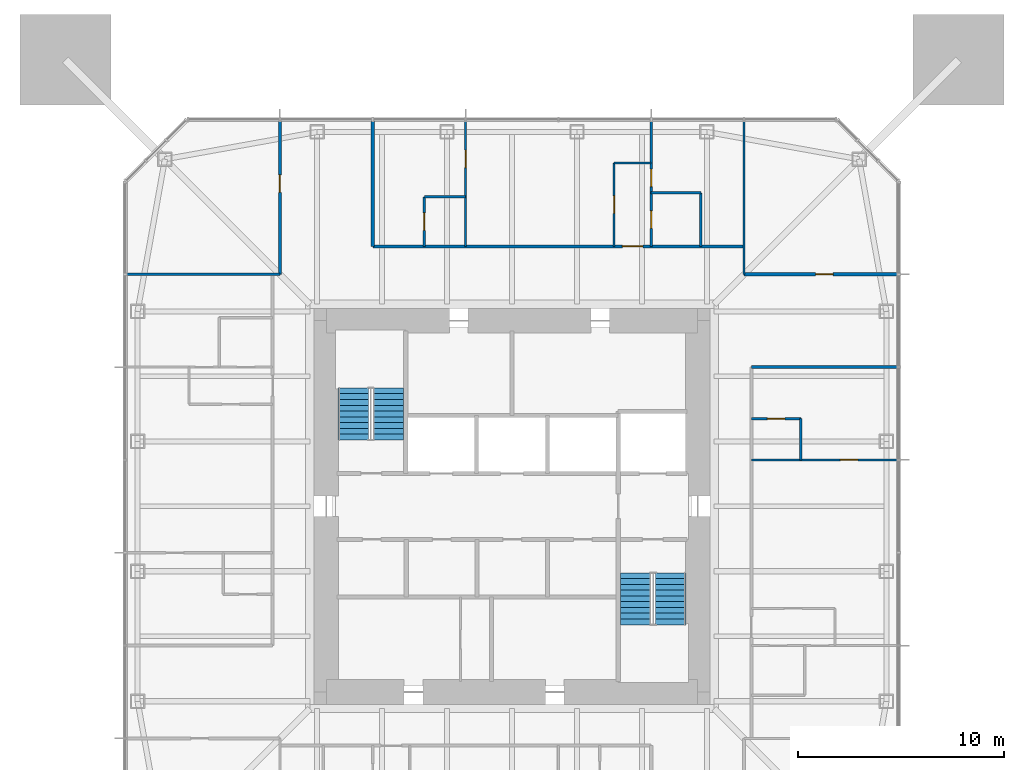
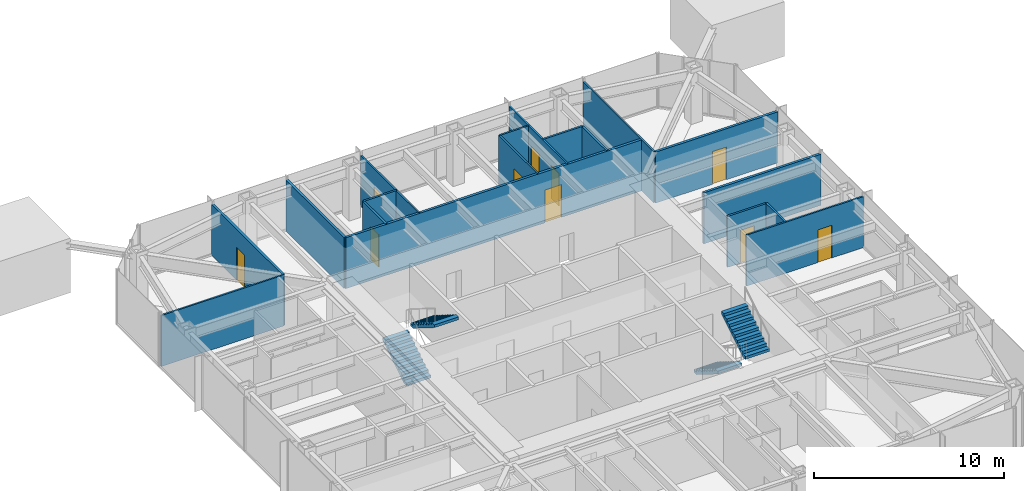
# One storey, part 8 of 11: 18 walls, 10 doors, 4 stair flights, 10 openings, 2 elements without a shape of their own.
"""IFC4 building model written with IfcOpenShell, lengths in metres."""

from ifc_helpers import new_model, si_unit, direction, frame, frame_2d, origin, place, context, subcontext, project, spatial, polyline, rectangle, outline, extrude, material, layer, layer_set, constituent, constituent_set, type_object, element, fill, aggregate, save


model = new_model("IFC4")

# Units and contexts
model_context = context("Model", 3, precision=1e-05, world=origin(), true_north=direction((0.0, 1.0)))
body_context = subcontext(model_context, "Body", "Model", "MODEL_VIEW")
ifc_project = project(units=[si_unit("LENGTHUNIT", "METRE"), si_unit("AREAUNIT", "SQUARE_METRE"), si_unit("VOLUMEUNIT", "CUBIC_METRE"), si_unit("PLANEANGLEUNIT", "RADIAN"), si_unit("MASSUNIT", "GRAM", prefix="KILO")], contexts=[model_context])

# Site, building, storey
site_placement = place(None, origin())
site = spatial("IfcSite", under=ifc_project, at=site_placement, CompositionType="ELEMENT")
building_placement = place(site_placement, origin())
building = spatial("IfcBuilding", under=site, at=building_placement, Name="Iwan Alto Co-Living Towers", CompositionType="ELEMENT")
storey_placement = place(building_placement, frame((0.0, 0.0, 177.5)))
storey = spatial("IfcBuildingStorey", under=building, at=storey_placement, Name="L48", CompositionType="ELEMENT", Elevation=177.5)

# Wall
ifc_material_1 = material(Name="Gypsum board")
ifc_layer_1 = layer(ifc_material_1, 0.02490234375, Name="Board", Category="Finish")
ifc_material_2 = material(Name="Steel ASTM A1003 ST33H cold-formed studs", Category="steel")
ifc_layer_2 = layer(ifc_material_2, 0.10009765625, Name="Studs", Category="Framing")
ifc_layer_3 = layer(ifc_material_1, 0.02490234375, Name="Board", Category="Finish")
ifc_layer_set_1 = layer_set([ifc_layer_1, ifc_layer_2, ifc_layer_3], Name="CORRIDOR WALL 150")
wall_type_1 = type_object("IfcWallType", Name="CORRIDOR WALL 150", PredefinedType="PARTITIONING", material=ifc_layer_set_1)
wall_1_placement = place(storey_placement, frame((11.60009765625, 6.75, 0.0), z_axis=(0.0, 0.0, 1.0), x_axis=(1.0, 0.0, 0.0)))
element("IfcWall", 1, at=wall_1_placement, inside=storey, type_object=wall_type_1, Name="Partition L48", PredefinedType="PARTITIONING", context=body_context, shape_type="SweptSolid", body=[
    extrude(rectangle(XDim=7.08984375, YDim=0.14990234375, at=frame_2d((3.544921875, 0.0))), origin(), (0.0, 0.0, 1.0), 3.27001953125),
])

# Wall, opening, door
wall_2_placement = place(storey_placement, frame((11.25, 11.25, 0.0), z_axis=(0.0, 0.0, 1.0), x_axis=(1.0, 0.0, 0.0)))
wall_2 = element("IfcWall", 2, at=wall_2_placement, inside=storey, type_object=wall_type_1, Name="Partition L48", PredefinedType="PARTITIONING", context=body_context, shape_type="SweptSolid", body=[
    extrude(rectangle(XDim=7.43994140625, YDim=0.14990234375, at=frame_2d((3.719970703125, 0.0))), origin(), (0.0, 0.0, 1.0), 3.27001953125),
])
opening_1_placement = place(wall_2_placement, frame((3.469970703125, 0.0, 0.0)))
opening_1 = element("IfcOpeningElement", 3, at=opening_1_placement, cuts=wall_2, Name="Opening D2", PredefinedType="OPENING", context=body_context, shape_type="SweptSolid", body=[
    extrude(rectangle(XDim=0.85009765625, YDim=2.10009765625, at=frame_2d((0.425048828125, 1.050048828125))), frame((0.0, 0.0849609375, 0.0), z_axis=(0.0, -1.0, 0.0), x_axis=(1.0, 0.0, 0.0)), (0.0, 0.0, 1.0), 0.169921875),
])
ifc_material_3 = material(Name="Timber leaf in steel frame", Category="steel")
door_type_1 = type_object("IfcDoorType", Name="ROOM DOOR 850X2100", OperationType="SINGLE_SWING_LEFT", PredefinedType="DOOR", material=ifc_material_3)
door_1_placement = place(opening_1_placement, origin())
door_1 = element("IfcDoor", 4, at=door_1_placement, inside=storey, type_object=door_type_1, Name="Shared kitchen and lounge door L48", OperationType="SINGLE_SWING_RIGHT", OverallHeight=2.10009765625, OverallWidth=0.85009765625, PredefinedType="DOOR", context=body_context, shape_type="SweptSolid", body=[
    extrude(rectangle(XDim=0.85009765625, YDim=2.10009765625, at=frame_2d((0.425048828125, 1.050048828125))), frame((0.0, 0.02490234375, 0.0), z_axis=(0.0, -1.0, 0.0), x_axis=(1.0, 0.0, 0.0)), (0.0, 0.0, 1.0), 0.050048828125),
])
fill(opening_1, door_1)

wall_3_placement = place(storey_placement, frame((-6.75, 12.60009765625, 0.0), z_axis=(0.0, 0.0, 1.0), x_axis=(1.0, 0.0, 0.0)))
wall_3 = element("IfcWall", 5, at=wall_3_placement, inside=storey, type_object=wall_type_1, Name="Partition L48", PredefinedType="PARTITIONING", context=body_context, shape_type="SweptSolid", body=[
    extrude(rectangle(XDim=18.0, YDim=0.14990234375, at=frame_2d((9.0, 0.0))), origin(), (0.0, 0.0, 1.0), 3.27001953125),
])
opening_2_placement = place(wall_3_placement, frame((12.10009765625, 0.0, 0.0)))
opening_2 = element("IfcOpeningElement", 6, at=opening_2_placement, cuts=wall_3, Name="Opening D3", PredefinedType="OPENING", context=body_context, shape_type="SweptSolid", body=[
    extrude(rectangle(XDim=1.0, YDim=2.10009765625, at=frame_2d((0.5, 1.050048828125))), frame((0.0, 0.0849609375, 0.0), z_axis=(0.0, -1.0, 0.0), x_axis=(1.0, 0.0, 0.0)), (0.0, 0.0, 1.0), 0.169921875),
])
ifc_material_4 = material(Name="Steel frame with timber leaf", Category="steel")
door_type_2 = type_object("IfcDoorType", Name="FLAT ENTRANCE DOOR FD30S 1000X2100", OperationType="SINGLE_SWING_LEFT", PredefinedType="DOOR", material=ifc_material_4)
door_2_placement = place(opening_2_placement, origin())
door_2 = element("IfcDoor", 7, at=door_2_placement, inside=storey, type_object=door_type_2, Name="Apartment foyer door L48", OperationType="SINGLE_SWING_LEFT", OverallHeight=2.10009765625, OverallWidth=1.0, PredefinedType="DOOR", context=body_context, shape_type="SweptSolid", body=[
    extrude(rectangle(XDim=1.0, YDim=2.10009765625, at=frame_2d((0.5, 1.050048828125))), frame((0.0, 0.02490234375, 0.0), z_axis=(0.0, -1.0, 0.0), x_axis=(1.0, 0.0, 0.0)), (0.0, 0.0, 1.0), 0.050048828125),
])
fill(opening_2, door_2)

# Wall
wall_4_placement = place(storey_placement, frame((-6.75, 12.60009765625, 0.0), z_axis=(0.0, 0.0, 1.0), x_axis=(0.0, 1.0, 0.0)))
element("IfcWall", 8, at=wall_4_placement, inside=storey, type_object=wall_type_1, Name="Partition L48", PredefinedType="PARTITIONING", context=body_context, shape_type="SweptSolid", body=[
    extrude(rectangle(XDim=6.08984375, YDim=0.14990234375, at=frame_2d((3.044921875, 0.0))), origin(), (0.0, 0.0, 1.0), 3.27001953125),
])

# Wall, opening, door
wall_5_placement = place(storey_placement, frame((-11.25, 11.25, 0.0), z_axis=(0.0, 0.0, 1.0), x_axis=(0.0, 1.0, 0.0)))
wall_5 = element("IfcWall", 9, at=wall_5_placement, inside=storey, type_object=wall_type_1, Name="Partition L48", PredefinedType="PARTITIONING", context=body_context, shape_type="SweptSolid", body=[
    extrude(rectangle(XDim=7.43994140625, YDim=0.14990234375, at=frame_2d((3.719970703125, 0.0))), origin(), (0.0, 0.0, 1.0), 3.27001953125),
])
opening_3_placement = place(wall_5_placement, frame((3.969970703125, 0.0, 0.0)))
opening_3 = element("IfcOpeningElement", 10, at=opening_3_placement, cuts=wall_5, Name="Opening D2", PredefinedType="OPENING", context=body_context, shape_type="SweptSolid", body=[
    extrude(rectangle(XDim=0.85009765625, YDim=2.10009765625, at=frame_2d((0.425048828125, 1.050048828125))), frame((0.0, 0.0849609375, 0.0), z_axis=(0.0, -1.0, 0.0), x_axis=(1.0, 0.0, 0.0)), (0.0, 0.0, 1.0), 0.169921875),
])
door_3_placement = place(opening_3_placement, origin())
door_3 = element("IfcDoor", 11, at=door_3_placement, inside=storey, type_object=door_type_1, Name="Shared kitchen and lounge door L48", OperationType="SINGLE_SWING_RIGHT", OverallHeight=2.10009765625, OverallWidth=0.85009765625, PredefinedType="DOOR", context=body_context, shape_type="SweptSolid", body=[
    extrude(rectangle(XDim=0.85009765625, YDim=2.10009765625, at=frame_2d((0.425048828125, 1.050048828125))), frame((0.0, 0.02490234375, 0.0), z_axis=(0.0, -1.0, 0.0), x_axis=(1.0, 0.0, 0.0)), (0.0, 0.0, 1.0), 0.050048828125),
])
fill(opening_3, door_3)

ifc_layer_4 = layer(ifc_material_1, 0.012451171875, Name="Board", Category="Finish")
ifc_layer_5 = layer(ifc_material_2, 0.074951171875, Name="Studs", Category="Framing")
ifc_layer_6 = layer(ifc_material_1, 0.012451171875, Name="Board", Category="Finish")
ifc_layer_set_2 = layer_set([ifc_layer_4, ifc_layer_5, ifc_layer_6], Name="PARTITION 100")
wall_type_2 = type_object("IfcWallType", Name="PARTITION 100", PredefinedType="PARTITIONING", material=ifc_layer_set_2)
wall_6_placement = place(storey_placement, frame((11.60009765625, 2.25, 0.0), z_axis=(0.0, 0.0, 1.0), x_axis=(1.0, 0.0, 0.0)))
wall_6 = element("IfcWall", 12, at=wall_6_placement, inside=storey, type_object=wall_type_2, Name="Partition L48", PredefinedType="PARTITIONING", context=body_context, shape_type="SweptSolid", body=[
    extrude(rectangle(XDim=7.08984375, YDim=0.10009765625, at=frame_2d((3.544921875, 0.0))), origin(), (0.0, 0.0, 1.0), 3.27001953125),
])
opening_4_placement = place(wall_6_placement, frame((4.320068359375, 0.0, 0.0)))
opening_4 = element("IfcOpeningElement", 13, at=opening_4_placement, cuts=wall_6, Name="Opening D2", PredefinedType="OPENING", context=body_context, shape_type="SweptSolid", body=[
    extrude(rectangle(XDim=0.85009765625, YDim=2.10009765625, at=frame_2d((0.425048828125, 1.050048828125))), frame((0.0, 0.06005859375, 0.0), z_axis=(0.0, -1.0, 0.0), x_axis=(1.0, 0.0, 0.0)), (0.0, 0.0, 1.0), 0.1201171875),
])
door_4_placement = place(opening_4_placement, frame((0.85009765625, 0.0, 0.0), z_axis=(0.0, 0.0, 1.0), x_axis=(-1.0, 0.0, 0.0)))
door_4 = element("IfcDoor", 14, at=door_4_placement, inside=storey, type_object=door_type_1, Name="Bedroom door L48", OperationType="SINGLE_SWING_LEFT", OverallHeight=2.10009765625, OverallWidth=0.85009765625, PredefinedType="DOOR", context=body_context, shape_type="SweptSolid", body=[
    extrude(rectangle(XDim=0.85009765625, YDim=2.10009765625, at=frame_2d((0.425048828125, 1.050048828125))), frame((0.0, 0.02490234375, 0.0), z_axis=(0.0, -1.0, 0.0), x_axis=(1.0, 0.0, 0.0)), (0.0, 0.0, 1.0), 0.050048828125),
])
fill(opening_4, door_4)

# Walls
wall_7_placement = place(storey_placement, frame((-18.68994140625, 11.25, 0.0), z_axis=(0.0, 0.0, 1.0), x_axis=(1.0, 0.0, 0.0)))
element("IfcWall", 15, at=wall_7_placement, inside=storey, type_object=wall_type_2, Name="Partition L48", PredefinedType="PARTITIONING", context=body_context, shape_type="SweptSolid", body=[
    extrude(rectangle(XDim=7.43994140625, YDim=0.10009765625, at=frame_2d((3.719970703125, 0.0))), origin(), (0.0, 0.0, 1.0), 3.27001953125),
])
wall_8_placement = place(storey_placement, frame((4.949951171875, 16.64990234375, 0.0), z_axis=(0.0, 0.0, 1.0), x_axis=(1.0, 0.0, 0.0)))
element("IfcWall", 16, at=wall_8_placement, inside=storey, type_object=wall_type_2, Name="Partition L48", PredefinedType="PARTITIONING", context=body_context, shape_type="SweptSolid", body=[
    extrude(rectangle(XDim=1.800048828125, YDim=0.10009765625, at=frame_2d((0.89990234375, 0.0))), origin(), (0.0, 0.0, 1.0), 3.27001953125),
])
wall_9_placement = place(storey_placement, frame((11.25, 11.25, 0.0), z_axis=(0.0, 0.0, 1.0), x_axis=(0.0, 1.0, 0.0)))
element("IfcWall", 17, at=wall_9_placement, inside=storey, type_object=wall_type_2, Name="Partition L48", PredefinedType="PARTITIONING", context=body_context, shape_type="SweptSolid", body=[
    extrude(rectangle(XDim=7.43994140625, YDim=0.10009765625, at=frame_2d((3.719970703125, 0.0))), origin(), (0.0, 0.0, 1.0), 3.27001953125),
])

# Wall, openings, doors
wall_10_placement = place(storey_placement, frame((6.75, 12.60009765625, 0.0), z_axis=(0.0, 0.0, 1.0), x_axis=(0.0, 1.0, 0.0)))
wall_10 = element("IfcWall", 18, at=wall_10_placement, inside=storey, type_object=wall_type_2, Name="Partition L48", PredefinedType="PARTITIONING", context=body_context, shape_type="SweptSolid", body=[
    extrude(rectangle(XDim=6.08984375, YDim=0.10009765625, at=frame_2d((3.044921875, 0.0))), origin(), (0.0, 0.0, 1.0), 3.27001953125),
])
opening_5_placement = place(wall_10_placement, frame((2.89990234375, 0.0, 0.0)))
opening_5 = element("IfcOpeningElement", 19, at=opening_5_placement, cuts=wall_10, Name="Opening D2", PredefinedType="OPENING", context=body_context, shape_type="SweptSolid", body=[
    extrude(rectangle(XDim=0.85009765625, YDim=2.10009765625, at=frame_2d((0.425048828125, 1.050048828125))), frame((0.0, 0.06005859375, 0.0), z_axis=(0.0, -1.0, 0.0), x_axis=(1.0, 0.0, 0.0)), (0.0, 0.0, 1.0), 0.1201171875),
])
opening_6_placement = place(wall_10_placement, frame((0.875, 0.0, 0.0)))
opening_6 = element("IfcOpeningElement", 20, at=opening_6_placement, cuts=wall_10, Name="Opening D2", PredefinedType="OPENING", context=body_context, shape_type="SweptSolid", body=[
    extrude(rectangle(XDim=0.85009765625, YDim=2.10009765625, at=frame_2d((0.425048828125, 1.050048828125))), frame((0.0, 0.06005859375, 0.0), z_axis=(0.0, -1.0, 0.0), x_axis=(1.0, 0.0, 0.0)), (0.0, 0.0, 1.0), 0.1201171875),
])
door_5_placement = place(opening_5_placement, frame((0.85009765625, 0.0, 0.0), z_axis=(0.0, 0.0, 1.0), x_axis=(-1.0, 0.0, 0.0)))
door_5 = element("IfcDoor", 21, at=door_5_placement, inside=storey, type_object=door_type_1, Name="Bedroom door L48", OperationType="SINGLE_SWING_RIGHT", OverallHeight=2.10009765625, OverallWidth=0.85009765625, PredefinedType="DOOR", context=body_context, shape_type="SweptSolid", body=[
    extrude(rectangle(XDim=0.85009765625, YDim=2.10009765625, at=frame_2d((0.425048828125, 1.050048828125))), frame((0.0, 0.02490234375, 0.0), z_axis=(0.0, -1.0, 0.0), x_axis=(1.0, 0.0, 0.0)), (0.0, 0.0, 1.0), 0.050048828125),
])
fill(opening_5, door_5)
door_6_placement = place(opening_6_placement, frame((0.85009765625, 0.0, 0.0), z_axis=(0.0, 0.0, 1.0), x_axis=(-1.0, 0.0, 0.0)))
door_6 = element("IfcDoor", 22, at=door_6_placement, inside=storey, type_object=door_type_1, Name="Bathroom door L48", OperationType="SINGLE_SWING_RIGHT", OverallHeight=2.10009765625, OverallWidth=0.85009765625, PredefinedType="DOOR", context=body_context, shape_type="SweptSolid", body=[
    extrude(rectangle(XDim=0.85009765625, YDim=2.10009765625, at=frame_2d((0.425048828125, 1.050048828125))), frame((0.0, 0.02490234375, 0.0), z_axis=(0.0, -1.0, 0.0), x_axis=(1.0, 0.0, 0.0)), (0.0, 0.0, 1.0), 0.050048828125),
])
fill(opening_6, door_6)

# Wall, opening, door
wall_11_placement = place(storey_placement, frame((4.949951171875, 12.60009765625, 0.0), z_axis=(0.0, 0.0, 1.0), x_axis=(0.0, 1.0, 0.0)))
wall_11 = element("IfcWall", 23, at=wall_11_placement, inside=storey, type_object=wall_type_2, Name="Partition L48", PredefinedType="PARTITIONING", context=body_context, shape_type="SweptSolid", body=[
    extrude(rectangle(XDim=4.0498046875, YDim=0.10009765625, at=frame_2d((2.02490234375, 0.0))), origin(), (0.0, 0.0, 1.0), 3.27001953125),
])
opening_7_placement = place(wall_11_placement, frame((1.60009765625, 0.0, 0.0)))
opening_7 = element("IfcOpeningElement", 24, at=opening_7_placement, cuts=wall_11, Name="Opening D2", PredefinedType="OPENING", context=body_context, shape_type="SweptSolid", body=[
    extrude(rectangle(XDim=0.85009765625, YDim=2.10009765625, at=frame_2d((0.425048828125, 1.050048828125))), frame((0.0, 0.06005859375, 0.0), z_axis=(0.0, -1.0, 0.0), x_axis=(1.0, 0.0, 0.0)), (0.0, 0.0, 1.0), 0.1201171875),
])
door_7_placement = place(opening_7_placement, origin())
door_7 = element("IfcDoor", 25, at=door_7_placement, inside=storey, type_object=door_type_1, Name="Apartment foyer door L48", OperationType="SINGLE_SWING_LEFT", OverallHeight=2.10009765625, OverallWidth=0.85009765625, PredefinedType="DOOR", context=body_context, shape_type="SweptSolid", body=[
    extrude(rectangle(XDim=0.85009765625, YDim=2.10009765625, at=frame_2d((0.425048828125, 1.050048828125))), frame((0.0, 0.02490234375, 0.0), z_axis=(0.0, -1.0, 0.0), x_axis=(1.0, 0.0, 0.0)), (0.0, 0.0, 1.0), 0.050048828125),
])
fill(opening_7, door_7)

wall_12_placement = place(storey_placement, frame((-2.25, 12.60009765625, 0.0), z_axis=(0.0, 0.0, 1.0), x_axis=(0.0, 1.0, 0.0)))
wall_12 = element("IfcWall", 26, at=wall_12_placement, inside=storey, type_object=wall_type_2, Name="Partition L48", PredefinedType="PARTITIONING", context=body_context, shape_type="SweptSolid", body=[
    extrude(rectangle(XDim=6.08984375, YDim=0.10009765625, at=frame_2d((3.044921875, 0.0))), origin(), (0.0, 0.0, 1.0), 3.27001953125),
])
opening_8_placement = place(wall_12_placement, frame((3.820068359375, 0.0, 0.0)))
opening_8 = element("IfcOpeningElement", 27, at=opening_8_placement, cuts=wall_12, Name="Opening D2", PredefinedType="OPENING", context=body_context, shape_type="SweptSolid", body=[
    extrude(rectangle(XDim=0.85009765625, YDim=2.10009765625, at=frame_2d((0.425048828125, 1.050048828125))), frame((0.0, 0.06005859375, 0.0), z_axis=(0.0, -1.0, 0.0), x_axis=(1.0, 0.0, 0.0)), (0.0, 0.0, 1.0), 0.1201171875),
])
door_8_placement = place(opening_8_placement, frame((0.85009765625, 0.0, 0.0), z_axis=(0.0, 0.0, 1.0), x_axis=(-1.0, 0.0, 0.0)))
door_8 = element("IfcDoor", 28, at=door_8_placement, inside=storey, type_object=door_type_1, Name="Bedroom door L48", OperationType="SINGLE_SWING_LEFT", OverallHeight=2.10009765625, OverallWidth=0.85009765625, PredefinedType="DOOR", context=body_context, shape_type="SweptSolid", body=[
    extrude(rectangle(XDim=0.85009765625, YDim=2.10009765625, at=frame_2d((0.425048828125, 1.050048828125))), frame((0.0, 0.02490234375, 0.0), z_axis=(0.0, -1.0, 0.0), x_axis=(1.0, 0.0, 0.0)), (0.0, 0.0, 1.0), 0.050048828125),
])
fill(opening_8, door_8)

ifc_material_5 = material(Name="Cement board")
ifc_layer_7 = layer(ifc_material_5, 0.012451171875, Name="Board", Category="Finish")
ifc_layer_8 = layer(ifc_material_2, 0.094970703125, Name="Studs", Category="Framing")
ifc_layer_9 = layer(ifc_material_5, 0.012451171875, Name="Board", Category="Finish")
ifc_layer_set_3 = layer_set([ifc_layer_7, ifc_layer_8, ifc_layer_9], Name="WET AREA PARTITION 120")
wall_type_3 = type_object("IfcWallType", Name="WET AREA PARTITION 120", PredefinedType="PARTITIONING", material=ifc_layer_set_3)
wall_13_placement = place(storey_placement, frame((11.60009765625, 4.25, 0.0), z_axis=(0.0, 0.0, 1.0), x_axis=(1.0, 0.0, 0.0)))
wall_13 = element("IfcWall", 29, at=wall_13_placement, inside=storey, type_object=wall_type_3, Name="Partition L48", PredefinedType="PARTITIONING", context=body_context, shape_type="SweptSolid", body=[
    extrude(rectangle(XDim=2.39990234375, YDim=0.1201171875, at=frame_2d((1.199951171875, 0.0))), origin(), (0.0, 0.0, 1.0), 3.27001953125),
])
opening_9_placement = place(wall_13_placement, frame((0.77490234375, 0.0, 0.0)))
opening_9 = element("IfcOpeningElement", 30, at=opening_9_placement, cuts=wall_13, Name="Opening D2", PredefinedType="OPENING", context=body_context, shape_type="SweptSolid", body=[
    extrude(rectangle(XDim=0.85009765625, YDim=2.10009765625, at=frame_2d((0.425048828125, 1.050048828125))), frame((0.0, 0.070068359375, 0.0), z_axis=(0.0, -1.0, 0.0), x_axis=(1.0, 0.0, 0.0)), (0.0, 0.0, 1.0), 0.14013671875),
])
door_9_placement = place(opening_9_placement, origin())
door_9 = element("IfcDoor", 31, at=door_9_placement, inside=storey, type_object=door_type_1, Name="En-suite shower room door L48", OperationType="SINGLE_SWING_LEFT", OverallHeight=2.10009765625, OverallWidth=0.85009765625, PredefinedType="DOOR", context=body_context, shape_type="SweptSolid", body=[
    extrude(rectangle(XDim=0.85009765625, YDim=2.10009765625, at=frame_2d((0.425048828125, 1.050048828125))), frame((0.0, 0.02490234375, 0.0), z_axis=(0.0, -1.0, 0.0), x_axis=(1.0, 0.0, 0.0)), (0.0, 0.0, 1.0), 0.050048828125),
])
fill(opening_9, door_9)

# Walls
wall_14_placement = place(storey_placement, frame((-4.25, 15.0, 0.0), z_axis=(0.0, 0.0, 1.0), x_axis=(1.0, 0.0, 0.0)))
element("IfcWall", 32, at=wall_14_placement, inside=storey, type_object=wall_type_3, Name="Partition L48", PredefinedType="PARTITIONING", context=body_context, shape_type="SweptSolid", body=[
    extrude(rectangle(XDim=2.0, YDim=0.1201171875, at=frame_2d((1.0, 0.0))), origin(), (0.0, 0.0, 1.0), 3.27001953125),
])
wall_15_placement = place(storey_placement, frame((6.75, 15.199951171875, 0.0), z_axis=(0.0, 0.0, 1.0), x_axis=(1.0, 0.0, 0.0)))
element("IfcWall", 33, at=wall_15_placement, inside=storey, type_object=wall_type_3, Name="Partition L48", PredefinedType="PARTITIONING", context=body_context, shape_type="SweptSolid", body=[
    extrude(rectangle(XDim=2.39990234375, YDim=0.1201171875, at=frame_2d((1.199951171875, 0.0))), origin(), (0.0, 0.0, 1.0), 3.27001953125),
])
wall_16_placement = place(storey_placement, frame((14.0, 2.25, 0.0), z_axis=(0.0, 0.0, 1.0), x_axis=(0.0, 1.0, 0.0)))
element("IfcWall", 34, at=wall_16_placement, inside=storey, type_object=wall_type_3, Name="Partition L48", PredefinedType="PARTITIONING", context=body_context, shape_type="SweptSolid", body=[
    extrude(rectangle(XDim=2.0, YDim=0.1201171875, at=frame_2d((1.0, 0.0))), origin(), (0.0, 0.0, 1.0), 3.27001953125),
])
wall_17_placement = place(storey_placement, frame((9.14990234375, 12.60009765625, 0.0), z_axis=(0.0, 0.0, 1.0), x_axis=(0.0, 1.0, 0.0)))
element("IfcWall", 35, at=wall_17_placement, inside=storey, type_object=wall_type_3, Name="Partition L48", PredefinedType="PARTITIONING", context=body_context, shape_type="SweptSolid", body=[
    extrude(rectangle(XDim=2.599853515625, YDim=0.1201171875, at=frame_2d((1.2998046875, 0.0))), origin(), (0.0, 0.0, 1.0), 3.27001953125),
])

# Wall, opening, door
wall_18_placement = place(storey_placement, frame((-4.25, 12.60009765625, 0.0), z_axis=(0.0, 0.0, 1.0), x_axis=(0.0, 1.0, 0.0)))
wall_18 = element("IfcWall", 36, at=wall_18_placement, inside=storey, type_object=wall_type_3, Name="Partition L48", PredefinedType="PARTITIONING", context=body_context, shape_type="SweptSolid", body=[
    extrude(rectangle(XDim=2.39990234375, YDim=0.1201171875, at=frame_2d((1.199951171875, 0.0))), origin(), (0.0, 0.0, 1.0), 3.27001953125),
])
opening_10_placement = place(wall_18_placement, frame((0.77490234375, 0.0, 0.0)))
opening_10 = element("IfcOpeningElement", 37, at=opening_10_placement, cuts=wall_18, Name="Opening D2", PredefinedType="OPENING", context=body_context, shape_type="SweptSolid", body=[
    extrude(rectangle(XDim=0.85009765625, YDim=2.10009765625, at=frame_2d((0.425048828125, 1.050048828125))), frame((0.0, 0.070068359375, 0.0), z_axis=(0.0, -1.0, 0.0), x_axis=(1.0, 0.0, 0.0)), (0.0, 0.0, 1.0), 0.14013671875),
])
door_10_placement = place(opening_10_placement, origin())
door_10 = element("IfcDoor", 38, at=door_10_placement, inside=storey, type_object=door_type_1, Name="En-suite shower room door L48", OperationType="SINGLE_SWING_LEFT", OverallHeight=2.10009765625, OverallWidth=0.85009765625, PredefinedType="DOOR", context=body_context, shape_type="SweptSolid", body=[
    extrude(rectangle(XDim=0.85009765625, YDim=2.10009765625, at=frame_2d((0.425048828125, 1.050048828125))), frame((0.0, 0.02490234375, 0.0), z_axis=(0.0, -1.0, 0.0), x_axis=(1.0, 0.0, 0.0)), (0.0, 0.0, 1.0), 0.050048828125),
])
fill(opening_10, door_10)

# Stair, stair flights
ifc_material_6 = material(Name="Steel ASTM A36", Category="steel")
ifc_constituent_1 = constituent(ifc_material_6, Name="Stringers", Category="LoadBearing")
ifc_material_7 = material(Name="Concrete f'c 30 MPa", Category="concrete")
ifc_constituent_2 = constituent(ifc_material_7, Name="Tread fill", Category="Finish")
ifc_constituent_set_1 = constituent_set(constituents=[ifc_constituent_1, ifc_constituent_2], Name="STAIR 3500 TWO-FLIGHT T1 CORE")
stair_type = type_object("IfcStairType", Name="STAIR 3500 TWO-FLIGHT T1 CORE", PredefinedType="HALF_TURN_STAIR", material=ifc_constituent_set_1)
stair_1_placement = place(storey_placement, origin())
stair_1 = element("IfcStair", 39, at=stair_1_placement, inside=storey, type_object=stair_type, Name="Stair T1-S1 L48 to L49", PredefinedType="HALF_TURN_STAIR")
ifc_constituent_3 = constituent(ifc_material_6, Name="Stringers", Category="LoadBearing")
ifc_constituent_4 = constituent(ifc_material_7, Name="Tread fill", Category="Finish")
ifc_constituent_set_2 = constituent_set(constituents=[ifc_constituent_3, ifc_constituent_4], Name="STAIR FLIGHT 10 RISERS 280 GOING")
stair_flight_type = type_object("IfcStairFlightType", Name="STAIR FLIGHT 10 RISERS 280 GOING", PredefinedType="STRAIGHT", material=ifc_constituent_set_2)
stair_flight_1_placement = place(storey_placement, frame((-7.68994140625, 3.219970703125, 0.0), z_axis=(0.0, 0.0, 1.0), x_axis=(0.0, 1.0, 0.0)))
stair_flight_1 = element("IfcStairFlight", 40, at=stair_flight_1_placement, type_object=stair_flight_type, Name="T1-S1 flight 1", NumberOfRisers=10, NumberOfTreads=9, PredefinedType="STRAIGHT", RiserHeight=0.175, TreadLength=0.28, context=body_context, shape_type="SweptSolid", body=[
    extrude(outline(polyline([(0.0, 0.0), (0.0, 0.175048828125), (0.280029296875, 0.175048828125), (0.280029296875, 0.35009765625), (0.56005859375, 0.35009765625), (0.56005859375, 0.52490234375), (0.840087890625, 0.52490234375), (0.840087890625, 0.699951171875), (1.1201171875, 0.699951171875), (1.1201171875, 0.875), (1.39990234375, 0.875), (1.39990234375, 1.050048828125), (1.679931640625, 1.050048828125), (1.679931640625, 1.22509765625), (1.9599609375, 1.22509765625), (1.9599609375, 1.39990234375), (2.239990234375, 1.39990234375), (2.239990234375, 1.574951171875), (2.52001953125, 1.574951171875), (2.52001953125, 1.75), (2.52001953125, 1.398193359375), (0.28271484375, 0.0), (0.0, 0.0)])), frame((0.0, 0.739990234375, 0.0), z_axis=(0.0, -1.0, 0.0), x_axis=(1.0, 0.0, 0.0)), (0.0, 0.0, 1.0), 1.47998046875),
])
stair_flight_2_placement = place(storey_placement, frame((-6.010009765625, 5.739990234375, 1.75), z_axis=(0.0, 0.0, 1.0), x_axis=(0.0, -1.0, 0.0)))
stair_flight_2 = element("IfcStairFlight", 41, at=stair_flight_2_placement, type_object=stair_flight_type, Name="T1-S1 flight 2", NumberOfRisers=10, NumberOfTreads=9, PredefinedType="STRAIGHT", RiserHeight=0.175, TreadLength=0.28, context=body_context, shape_type="SweptSolid", body=[
    extrude(outline(polyline([(0.0, 0.0), (0.0, 0.175048828125), (0.280029296875, 0.175048828125), (0.280029296875, 0.35009765625), (0.56005859375, 0.35009765625), (0.56005859375, 0.52490234375), (0.840087890625, 0.52490234375), (0.840087890625, 0.699951171875), (1.1201171875, 0.699951171875), (1.1201171875, 0.875), (1.39990234375, 0.875), (1.39990234375, 1.050048828125), (1.679931640625, 1.050048828125), (1.679931640625, 1.22509765625), (1.9599609375, 1.22509765625), (1.9599609375, 1.39990234375), (2.239990234375, 1.39990234375), (2.239990234375, 1.574951171875), (2.52001953125, 1.574951171875), (2.52001953125, 1.75), (2.52001953125, 1.398193359375), (0.28271484375, 0.0), (0.0, 0.0)])), frame((0.0, 0.739990234375, 0.0), z_axis=(0.0, -1.0, 0.0), x_axis=(1.0, 0.0, 0.0)), (0.0, 0.0, 1.0), 1.47998046875),
])
aggregate(stair_1, [stair_flight_1, stair_flight_2])

stair_2_placement = place(storey_placement, origin())
stair_2 = element("IfcStair", 42, at=stair_2_placement, inside=storey, type_object=stair_type, Name="Stair T1-S2 L48 to L49", PredefinedType="HALF_TURN_STAIR")
stair_flight_3_placement = place(storey_placement, frame((6.010009765625, -3.219970703125, 0.0), z_axis=(0.0, 0.0, 1.0), x_axis=(0.0, -1.0, 0.0)))
stair_flight_3 = element("IfcStairFlight", 43, at=stair_flight_3_placement, type_object=stair_flight_type, Name="T1-S2 flight 1", NumberOfRisers=10, NumberOfTreads=9, PredefinedType="STRAIGHT", RiserHeight=0.175, TreadLength=0.28, context=body_context, shape_type="SweptSolid", body=[
    extrude(outline(polyline([(0.0, 0.0), (0.0, 0.175048828125), (0.280029296875, 0.175048828125), (0.280029296875, 0.35009765625), (0.56005859375, 0.35009765625), (0.56005859375, 0.52490234375), (0.840087890625, 0.52490234375), (0.840087890625, 0.699951171875), (1.1201171875, 0.699951171875), (1.1201171875, 0.875), (1.39990234375, 0.875), (1.39990234375, 1.050048828125), (1.679931640625, 1.050048828125), (1.679931640625, 1.22509765625), (1.9599609375, 1.22509765625), (1.9599609375, 1.39990234375), (2.239990234375, 1.39990234375), (2.239990234375, 1.574951171875), (2.52001953125, 1.574951171875), (2.52001953125, 1.75), (2.52001953125, 1.398193359375), (0.28271484375, 0.0), (0.0, 0.0)])), frame((0.0, 0.739990234375, 0.0), z_axis=(0.0, -1.0, 0.0), x_axis=(1.0, 0.0, 0.0)), (0.0, 0.0, 1.0), 1.47998046875),
])
stair_flight_4_placement = place(storey_placement, frame((7.68994140625, -5.739990234375, 1.75), z_axis=(0.0, 0.0, 1.0), x_axis=(0.0, 1.0, 0.0)))
stair_flight_4 = element("IfcStairFlight", 44, at=stair_flight_4_placement, type_object=stair_flight_type, Name="T1-S2 flight 2", NumberOfRisers=10, NumberOfTreads=9, PredefinedType="STRAIGHT", RiserHeight=0.175, TreadLength=0.28, context=body_context, shape_type="SweptSolid", body=[
    extrude(outline(polyline([(0.0, 0.0), (0.0, 0.175048828125), (0.280029296875, 0.175048828125), (0.280029296875, 0.35009765625), (0.56005859375, 0.35009765625), (0.56005859375, 0.52490234375), (0.840087890625, 0.52490234375), (0.840087890625, 0.699951171875), (1.1201171875, 0.699951171875), (1.1201171875, 0.875), (1.39990234375, 0.875), (1.39990234375, 1.050048828125), (1.679931640625, 1.050048828125), (1.679931640625, 1.22509765625), (1.9599609375, 1.22509765625), (1.9599609375, 1.39990234375), (2.239990234375, 1.39990234375), (2.239990234375, 1.574951171875), (2.52001953125, 1.574951171875), (2.52001953125, 1.75), (2.52001953125, 1.398193359375), (0.28271484375, 0.0), (0.0, 0.0)])), frame((0.0, 0.739990234375, 0.0), z_axis=(0.0, -1.0, 0.0), x_axis=(1.0, 0.0, 0.0)), (0.0, 0.0, 1.0), 1.47998046875),
])
aggregate(stair_2, [stair_flight_3, stair_flight_4])

save(model, "model.ifc")
